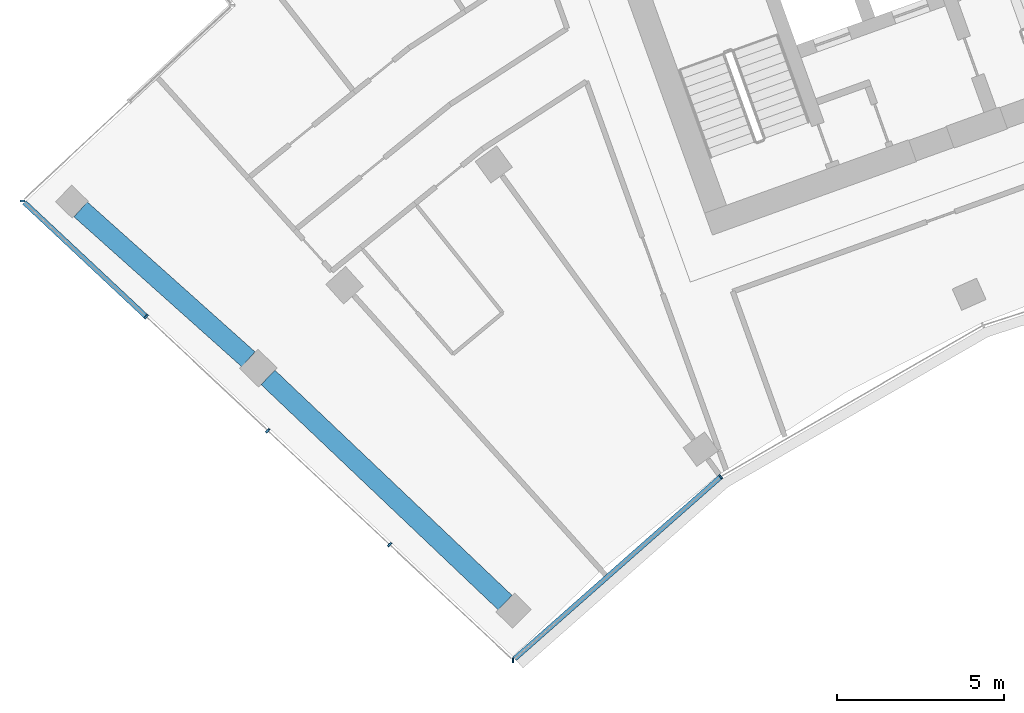
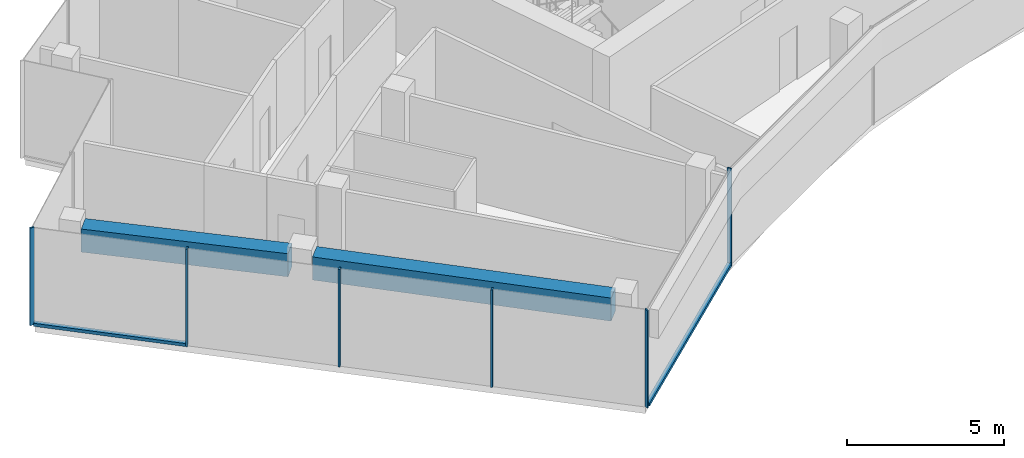
# One storey, part 2 of 18: 8 members, 2 beams, 2 elements without a shape of their own.
"""IFC4 building model written with IfcOpenShell, lengths in metres."""

from ifc_helpers import new_model, si_unit, direction, frame, origin, origin_2d, place, context, subcontext, project, spatial, rectangle, extrude, material, layer, layer_set, material_profile, profile_set, type_object, element, aggregate, save


model = new_model("IFC4")

# Units and contexts
model_context = context("Model", 3, precision=1e-05, world=origin(), true_north=direction((0.0, 1.0)))
body_context = subcontext(model_context, "Body", "Model", "MODEL_VIEW")
ifc_project = project(units=[si_unit("LENGTHUNIT", "METRE"), si_unit("AREAUNIT", "SQUARE_METRE"), si_unit("VOLUMEUNIT", "CUBIC_METRE"), si_unit("PLANEANGLEUNIT", "RADIAN"), si_unit("MASSUNIT", "GRAM", prefix="KILO")], contexts=[model_context])

# Site, building, storey
site_placement = place(None, origin())
site = spatial("IfcSite", under=ifc_project, at=site_placement, CompositionType="ELEMENT")
building_placement = place(site_placement, origin())
building = spatial("IfcBuilding", under=site, at=building_placement, Name="Stone Belt Terrace Tower", CompositionType="ELEMENT")
storey_placement = place(building_placement, frame((0.0, 0.0, 288.39990234375)))
storey = spatial("IfcBuildingStorey", under=building, at=storey_placement, Name="L70", CompositionType="ELEMENT", Elevation=288.39990234375)

# Curtain wall, members
ifc_material_1 = material(Name="Aluminium 6063-T6 anodised frame", Category="aluminium")
ifc_layer_1 = layer(ifc_material_1, 0.14990234375)
ifc_layer_set_1 = layer_set([ifc_layer_1], Name="CW-B unitised concave-face curtain wall")
curtain_wall_type_1 = type_object("IfcCurtainWallType", Name="CW-B unitised concave-face curtain wall", PredefinedType="NOTDEFINED", material=ifc_layer_set_1)
curtain_wall_1_placement = place(storey_placement, origin())
curtain_wall_1 = element("IfcCurtainWall", 1, at=curtain_wall_1_placement, inside=storey, type_object=curtain_wall_type_1, Name="CW-B concave face L70", PredefinedType="NOTDEFINED")
ifc_material_profile_1 = material_profile(ifc_material_1, rectangle(XDim=0.14990234375, YDim=0.050048828125, at=origin_2d()), Name="Aluminium 6063-T6 50x150")
ifc_profile_set_1 = profile_set([ifc_material_profile_1], Name="Aluminium 6063-T6 anodised frame")
member_type_1 = type_object("IfcMemberType", Name="CW-B mullion 50 x 150", PredefinedType="MULLION", material=ifc_profile_set_1)
member_1_placement = place(storey_placement, frame((-31.75244140625, 29.633056640625, 0.0), z_axis=(0.0, 0.0, 1.0), x_axis=(0.014681639593, 0.999892218921, 0.0)))
member_1 = element("IfcMember", 2, at=member_1_placement, type_object=member_type_1, Name="CW-B mullion 1", PredefinedType="MULLION", context=body_context, shape_type="SweptSolid", body=[
    extrude(rectangle(XDim=0.14990234375, YDim=0.050048828125, at=origin_2d()), origin(), (0.0, 0.0, 1.0), 3.800048828125),
])
member_2_placement = place(storey_placement, frame((-25.524658203125, 35.131103515625, 0.0), z_axis=(0.0, 0.0, 1.0), x_axis=(-0.583818854632, 0.811883947973, 0.0)))
member_2 = element("IfcMember", 3, at=member_2_placement, type_object=member_type_1, Name="CW-B mullion 2", PredefinedType="MULLION", context=body_context, shape_type="SweptSolid", body=[
    extrude(rectangle(XDim=0.14990234375, YDim=0.050048828125, at=origin_2d()), origin(), (0.0, 0.0, 1.0), 3.800048828125),
])
ifc_material_profile_2 = material_profile(ifc_material_1, rectangle(XDim=0.14990234375, YDim=0.1201171875, at=origin_2d()), Name="Aluminium 6063-T6 150x120")
ifc_profile_set_2 = profile_set([ifc_material_profile_2], Name="Aluminium 6063-T6 anodised frame")
member_type_2 = type_object("IfcMemberType", Name="CW-B transom 120 x 150", PredefinedType="USERDEFINED", material=ifc_profile_set_2)
member_3_placement = place(storey_placement, frame((-31.70068359375, 29.6787109375, 0.06005859375), z_axis=(0.749668527307, 0.661813492735, 0.0), x_axis=(-0.661813492735, 0.749668527307, 0.0)))
member_3 = element("IfcMember", 4, at=member_3_placement, type_object=member_type_2, Name="CW-B transom 1.1", ObjectType="TRANSOM", PredefinedType="USERDEFINED", context=body_context, shape_type="SweptSolid", body=[
    extrude(rectangle(XDim=0.14990234375, YDim=0.1201171875, at=origin_2d()), origin(), (0.0, 0.0, 1.0), 8.2060546875),
])
aggregate(curtain_wall_1, [member_1, member_2, member_3])

ifc_layer_2 = layer(ifc_material_1, 0.14990234375)
ifc_layer_set_2 = layer_set([ifc_layer_2], Name="CW-C stick curtain wall, horn ends and notches")
curtain_wall_type_2 = type_object("IfcCurtainWallType", Name="CW-C stick curtain wall, horn ends and notches", PredefinedType="NOTDEFINED", material=ifc_layer_set_2)
curtain_wall_2_placement = place(storey_placement, origin())
curtain_wall_2 = element("IfcCurtainWall", 5, at=curtain_wall_2_placement, inside=storey, type_object=curtain_wall_type_2, Name="CW-C end face L70", PredefinedType="NOTDEFINED")
ifc_material_profile_3 = material_profile(ifc_material_1, rectangle(XDim=0.14990234375, YDim=0.06005859375, at=origin_2d()), Name="Aluminium 6063-T6 60x150")
ifc_profile_set_3 = profile_set([ifc_material_profile_3], Name="Aluminium 6063-T6 anodised frame")
member_type_3 = type_object("IfcMemberType", Name="CW-C mullion 60 x 150", PredefinedType="MULLION", material=ifc_profile_set_3)
member_4_placement = place(storey_placement, frame((-46.458740234375, 43.405517578125, 0.0), z_axis=(0.0, 0.0, 1.0), x_axis=(0.999999447771, -0.00105093149, 0.0)))
member_4 = element("IfcMember", 6, at=member_4_placement, type_object=member_type_3, Name="CW-C mullion 1", PredefinedType="MULLION", context=body_context, shape_type="SweptSolid", body=[
    extrude(rectangle(XDim=0.14990234375, YDim=0.06005859375, at=origin_2d()), origin(), (0.0, 0.0, 1.0), 3.800048828125),
])
member_5_placement = place(storey_placement, frame((-42.750732421875, 39.932861328125, 0.0), z_axis=(0.0, 0.0, 1.0), x_axis=(0.683549434973, 0.729904219708, 0.0)))
member_5 = element("IfcMember", 7, at=member_5_placement, type_object=member_type_3, Name="CW-C mullion 2", PredefinedType="MULLION", context=body_context, shape_type="SweptSolid", body=[
    extrude(rectangle(XDim=0.14990234375, YDim=0.06005859375, at=origin_2d()), origin(), (0.0, 0.0, 1.0), 3.800048828125),
])
member_6_placement = place(storey_placement, frame((-39.10107421875, 36.51513671875, 0.0), z_axis=(0.0, 0.0, 1.0), x_axis=(0.683549434973, 0.729904219708, 0.0)))
member_6 = element("IfcMember", 8, at=member_6_placement, type_object=member_type_3, Name="CW-C mullion 3", PredefinedType="MULLION", context=body_context, shape_type="SweptSolid", body=[
    extrude(rectangle(XDim=0.14990234375, YDim=0.06005859375, at=origin_2d()), origin(), (0.0, 0.0, 1.0), 3.800048828125),
])
member_7_placement = place(storey_placement, frame((-35.45166015625, 33.097412109375, 0.0), z_axis=(0.0, 0.0, 1.0), x_axis=(0.683549434973, 0.729904219708, 0.0)))
member_7 = element("IfcMember", 9, at=member_7_placement, type_object=member_type_3, Name="CW-C mullion 4", PredefinedType="MULLION", context=body_context, shape_type="SweptSolid", body=[
    extrude(rectangle(XDim=0.14990234375, YDim=0.06005859375, at=origin_2d()), origin(), (0.0, 0.0, 1.0), 3.800048828125),
])
ifc_material_profile_4 = material_profile(ifc_material_1, rectangle(XDim=0.14990234375, YDim=0.1201171875, at=origin_2d()), Name="Aluminium 6063-T6 150x120")
ifc_profile_set_4 = profile_set([ifc_material_profile_4], Name="Aluminium 6063-T6 anodised frame")
member_type_4 = type_object("IfcMemberType", Name="CW-C transom 120 x 150", PredefinedType="USERDEFINED", material=ifc_profile_set_4)
member_8_placement = place(storey_placement, frame((-46.40380859375, 43.35400390625, 0.06005859375), z_axis=(0.729913558916, -0.683539462292, 0.0), x_axis=(0.683539462292, 0.729913558916, 0.0)))
member_8 = element("IfcMember", 10, at=member_8_placement, type_object=member_type_4, Name="CW-C transom 1.1", ObjectType="TRANSOM", PredefinedType="USERDEFINED", context=body_context, shape_type="SweptSolid", body=[
    extrude(rectangle(XDim=0.14990234375, YDim=0.1201171875, at=origin_2d()), origin(), (0.0, 0.0, 1.0), 4.97509765625),
])
aggregate(curtain_wall_2, [member_4, member_5, member_6, member_7, member_8])

# Beams
ifc_material_2 = material(Name="Concrete B60", Category="concrete")
ifc_material_profile_5 = material_profile(ifc_material_2, rectangle(XDim=0.60009765625, YDim=0.89990234375, at=origin_2d()), Name="RC 600x900")
ifc_profile_set_5 = profile_set([ifc_material_profile_5], Name="Concrete B60")
beam_type = type_object("IfcBeamType", Name="Edge beam RC 600x900 B60", PredefinedType="SPANDREL", material=ifc_profile_set_5)
beam_1_placement = place(storey_placement, frame((-31.98876953125, 31.35791015625, 3.030029296875), z_axis=(-0.72502367576, 0.688723942946, 0.0), x_axis=(-0.688723942946, -0.72502367576, 0.0)))
element("IfcBeam", 11, at=beam_1_placement, inside=storey, type_object=beam_type, Name="Edge beam L70 A P to Q", PredefinedType="SPANDREL", context=body_context, shape_type="SweptSolid", body=[
    extrude(rectangle(XDim=0.60009765625, YDim=0.89990234375, at=origin_2d()), origin(), (0.0, 0.0, 1.0), 9.80615234375),
])
beam_2_placement = place(storey_placement, frame((-39.68701171875, 38.65380859375, 3.030029296875), z_axis=(-0.745651125692, 0.666336550666, 0.0), x_axis=(-0.666336550666, -0.745651125692, 0.0)))
element("IfcBeam", 12, at=beam_2_placement, inside=storey, type_object=beam_type, Name="Edge beam L70 A Q to R", PredefinedType="SPANDREL", context=body_context, shape_type="SweptSolid", body=[
    extrude(rectangle(XDim=0.60009765625, YDim=0.89990234375, at=origin_2d()), origin(), (0.0, 0.0, 1.0), 6.744140625),
])

save(model, "model.ifc")
